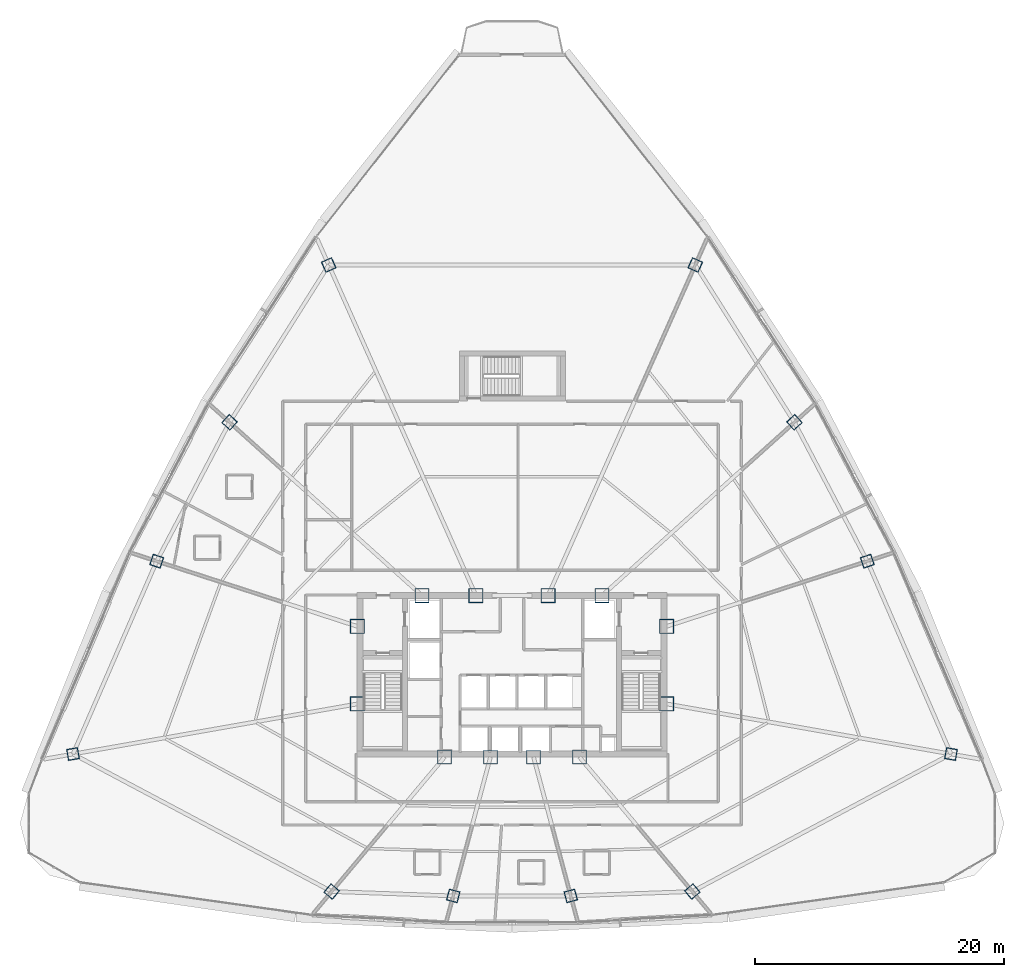
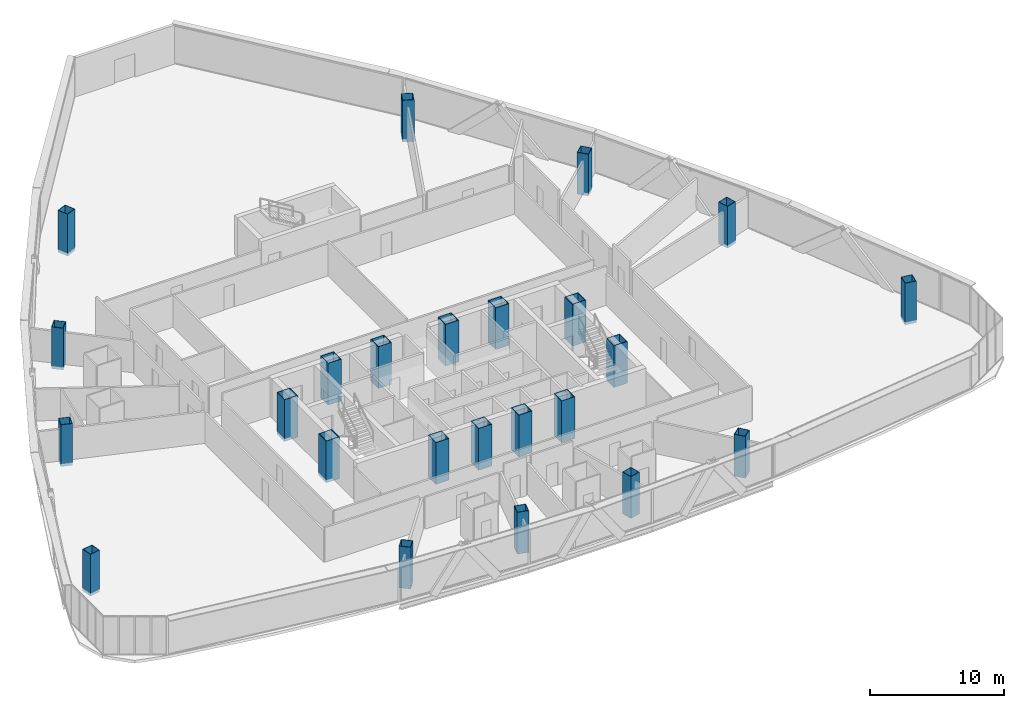
# One storey, part 1 of 40: 24 columns.
"""IFC4 building model written with IfcOpenShell, lengths in metres."""

import ifcopenshell
import ifcopenshell.guid

model = None  # the IFC model being written
_history = None  # IfcOwnerHistory: only IFC2X3 demands one
_inside = {}  # id of a spatial element -> (the spatial element, [elements in it])
_under = {}  # id of a project, library or spatial element -> (it, [spatial elements below it])
_declared = {}  # id of a project -> (the project, [libraries it declares])
_typed = {}  # id of a type object -> (the type object, [elements of that type])
_made_of = {}  # id of a material, layer set ... -> (it, [elements and type objects made of it])


def new_model(schema):
    """Start an empty IFC model of exactly this schema.

    Asked for "IFC4X3", IfcOpenShell would pick the latest addendum, in which some entities
    have other attributes; the version numbers below select the first issue.
    IFC2X3 requires an IfcOwnerHistory on every rooted entity: one is made here for all.
    """
    global model, _history
    if schema == "IFC4X3":
        model = ifcopenshell.file(schema_version=(4, 3, 0, 0))
    else:
        model = ifcopenshell.file(schema=schema)
    _inside.clear()
    _under.clear()
    _declared.clear()
    _typed.clear()
    _made_of.clear()
    _history = None
    if model.schema == "IFC2X3":
        org = make("IfcOrganization", Name="unknown")
        user = make(
            "IfcPersonAndOrganization",
            ThePerson=make("IfcPerson", FamilyName="unknown"),
            TheOrganization=org,
        )
        app = make(
            "IfcApplication",
            ApplicationDeveloper=org,
            Version="unknown",
            ApplicationFullName="unknown",
            ApplicationIdentifier="unknown",
        )
        _history = make(
            "IfcOwnerHistory",
            OwningUser=user,
            OwningApplication=app,
            ChangeAction="ADDED",
            CreationDate=0,
        )
    return model


def make(cls, **values):
    """One entity of the class cls with the attributes given. An attribute that is None is left unset."""
    return model.create_entity(
        cls, **{name: value for name, value in values.items() if value is not None}
    )


def rooted(cls, **values):
    """An entity with a GlobalId (a new one), such as an element, a storey or a relation."""
    return make(cls, GlobalId=ifcopenshell.guid.new(), OwnerHistory=_history, **values)


def si_unit(unit_type, name, prefix=None):
    """IfcSIUnit, for example si_unit("LENGTHUNIT", "METRE", prefix="MILLI")."""
    return make("IfcSIUnit", UnitType=unit_type, Prefix=prefix, Name=name)


def assignment(units):
    """IfcUnitAssignment: the units of a project."""
    return None if units is None else make("IfcUnitAssignment", Units=units)


def point(xyz):
    """IfcCartesianPoint."""
    return None if xyz is None else make("IfcCartesianPoint", Coordinates=xyz)


def direction(xyz):
    """IfcDirection."""
    return None if xyz is None else make("IfcDirection", DirectionRatios=xyz)


def frame(location, z_axis=None, x_axis=None):
    """IfcAxis2Placement3D, a coordinate frame: its origin and axes. An axis left out is left unset."""
    return make(
        "IfcAxis2Placement3D",
        Location=point(location),
        Axis=direction(z_axis),
        RefDirection=direction(x_axis),
    )


def frame_2d(location, x_axis=None):
    """IfcAxis2Placement2D, a coordinate frame in the plane: its origin and x axis."""
    return make(
        "IfcAxis2Placement2D", Location=point(location), RefDirection=direction(x_axis)
    )


def origin():
    """The frame at (0, 0, 0) with its axes left unset."""
    return frame((0.0, 0.0, 0.0))


def origin_2d():
    """The frame at (0, 0) in the plane with its x axis left unset."""
    return frame_2d((0.0, 0.0))


def place(relative_to, where):
    """IfcLocalPlacement: puts the frame where relative to a parent placement (None: the world)."""
    return make(
        "IfcLocalPlacement", PlacementRelTo=relative_to, RelativePlacement=where
    )


def context(
    kind, dimensions, precision=None, world=None, true_north=None, identifier=None
):
    """IfcGeometricRepresentationContext, for example the 3D "Model" context."""
    return make(
        "IfcGeometricRepresentationContext",
        ContextIdentifier=identifier,
        ContextType=kind,
        CoordinateSpaceDimension=dimensions,
        Precision=precision,
        WorldCoordinateSystem=world,
        TrueNorth=true_north,
    )


def subcontext(parent, identifier, kind, view, scale=None):
    """IfcGeometricRepresentationSubContext, for example "Body" below "Model"."""
    return make(
        "IfcGeometricRepresentationSubContext",
        ContextIdentifier=identifier,
        ContextType=kind,
        ParentContext=parent,
        TargetScale=scale,
        TargetView=view,
    )


def project(units=None, contexts=None):
    """IfcProject with its units and contexts."""
    return rooted(
        "IfcProject",
        Name="project",
        RepresentationContexts=contexts,
        UnitsInContext=assignment(units),
    )


def spatial(cls, under=None, at=None, **own):
    """A site, building, storey or space (cls), placed at a placement, below another one or the project."""
    s = rooted(cls, ObjectPlacement=at, **own)
    if under is not None:
        _under.setdefault(under.id(), (under, []))[1].append(s)
    return s


def profile(cls, at=None, kind="AREA", **sizes):
    """A parametric profile (cls). Its sizes go by their IFC names, for example OverallWidth=200.0."""
    return make(cls, ProfileType=kind, Position=at, **sizes)


def hollow_rectangle(**sizes):
    """IfcRectangleHollowProfileDef."""
    return profile("IfcRectangleHollowProfileDef", **sizes)


def extrude(swept, where, along, depth):
    """IfcExtrudedAreaSolid: the profile swept, set in the frame where, extruded along a direction by depth."""
    return make(
        "IfcExtrudedAreaSolid",
        SweptArea=swept,
        Position=where,
        ExtrudedDirection=direction(along),
        Depth=depth,
    )


def shape(context_of_items, identifier, shape_type, items):
    """IfcShapeRepresentation: the items that make up one representation, for example the "Body"."""
    return make(
        "IfcShapeRepresentation",
        ContextOfItems=context_of_items,
        RepresentationIdentifier=identifier,
        RepresentationType=shape_type,
        Items=items,
    )


def source(mapping_origin, context_of_items, identifier, shape_type, items):
    """IfcRepresentationMap: a shape defined once, which mapped items show again and again."""
    return make(
        "IfcRepresentationMap",
        MappingOrigin=mapping_origin,
        MappedRepresentation=shape(context_of_items, identifier, shape_type, items),
    )


def transform(
    local_origin,
    x_axis=None,
    y_axis=None,
    z_axis=None,
    scale=None,
    scale2=None,
    scale3=None,
    uniform=True,
):
    """IfcCartesianTransformationOperator3D, or its non-uniform kind. x_axis, y_axis, z_axis: its Axis1, 2, 3."""
    if uniform:
        return make(
            "IfcCartesianTransformationOperator3D",
            Axis1=direction(x_axis),
            Axis2=direction(y_axis),
            LocalOrigin=point(local_origin),
            Scale=scale,
            Axis3=direction(z_axis),
        )
    return make(
        "IfcCartesianTransformationOperator3DnonUniform",
        Axis1=direction(x_axis),
        Axis2=direction(y_axis),
        LocalOrigin=point(local_origin),
        Scale=scale,
        Axis3=direction(z_axis),
        Scale2=scale2,
        Scale3=scale3,
    )


def mapped(mapping_source, mapping_target):
    """IfcMappedItem: shows the shape of a source again, moved by a transform."""
    return make(
        "IfcMappedItem", MappingSource=mapping_source, MappingTarget=mapping_target
    )


def material(Name=None, Category=None):
    """IfcMaterial."""
    return make("IfcMaterial", Name=Name, Category=Category)


def material_profile(
    of_material, cross_section, Name=None, Category=None, Priority=None
):
    """IfcMaterialProfile: a cross section and its material."""
    return make(
        "IfcMaterialProfile",
        Name=Name,
        Material=of_material,
        Profile=cross_section,
        Priority=Priority,
        Category=Category,
    )


def profile_set(profiles, Name=None, composite=None):
    """IfcMaterialProfileSet."""
    return make(
        "IfcMaterialProfileSet",
        Name=Name,
        MaterialProfiles=profiles,
        CompositeProfile=composite,
    )


def made_of(thing, what):
    """Note that an element or type object is made of a material, layer set ...; save() writes the relation."""
    if what is not None:
        _made_of.setdefault(what.id(), (what, []))[1].append(thing)
    return thing


def type_object(cls, material=None, **own):
    """A type object (cls), such as IfcWallType, which elements share."""
    return made_of(rooted(cls, **own), material)


def element(
    cls,
    number,
    at=None,
    inside=None,
    cuts=None,
    type_object=None,
    material=None,
    context=None,
    identifier="Body",
    shape_type=None,
    held_by="IfcProductDefinitionShape",
    body=None,
    shapes=None,
    **own,
):
    """One element of the class cls, such as IfcWall. Its Tag is "e" and its number.

    at: its placement. inside: the storey or other place that contains it. cuts: it is an
    opening in that element (IfcRelVoidsElement). A single representation is given by context,
    identifier, shape_type and body (its items); several are given by shapes. held_by: the class
    of the entity that holds the representations. save() writes the other relations.
    """
    e = rooted(cls, Tag="e%d" % number, ObjectPlacement=at, **own)
    if body is not None:
        shapes = [shape(context, identifier, shape_type, body)]
    if shapes is not None:
        e.Representation = make(held_by, Representations=shapes)
    if inside is not None:
        _inside.setdefault(inside.id(), (inside, []))[1].append(e)
    if cuts is not None:
        rooted(
            "IfcRelVoidsElement", RelatingBuildingElement=cuts, RelatedOpeningElement=e
        )
    if type_object is not None:
        _typed.setdefault(type_object.id(), (type_object, []))[1].append(e)
    return made_of(e, material)


def aggregate(whole, parts):
    """IfcRelAggregates: a whole, such as a stair, and the parts it consists of."""
    return rooted("IfcRelAggregates", RelatingObject=whole, RelatedObjects=parts)


def save(model, path):
    """Write the relations noted so far, then the file.

    IfcRelAggregates (storeys below a building ...), IfcRelContainedInSpatialStructure (elements
    in a storey), IfcRelDefinesByType, IfcRelAssociatesMaterial and IfcRelDeclares: one each for
    every whole, place, type object, material and project.
    """
    for whole, parts in _under.values():
        aggregate(whole, parts)
    for where, things in _inside.values():
        rooted(
            "IfcRelContainedInSpatialStructure",
            RelatedElements=things,
            RelatingStructure=where,
        )
    for kind, things in _typed.values():
        rooted("IfcRelDefinesByType", RelatedObjects=things, RelatingType=kind)
    for what, things in _made_of.values():
        rooted("IfcRelAssociatesMaterial", RelatedObjects=things, RelatingMaterial=what)
    for by, libraries in _declared.values():
        rooted("IfcRelDeclares", RelatingContext=by, RelatedDefinitions=libraries)
    model.write(path)


model = new_model("IFC4")

# Units and contexts
model_context = context("Model", 3, precision=1e-05, world=origin(), true_north=direction((0.0, 1.0)))
body_context = subcontext(model_context, "Body", "Model", "MODEL_VIEW")
ifc_project = project(units=[si_unit("LENGTHUNIT", "METRE"), si_unit("AREAUNIT", "SQUARE_METRE"), si_unit("VOLUMEUNIT", "CUBIC_METRE"), si_unit("PLANEANGLEUNIT", "RADIAN"), si_unit("MASSUNIT", "GRAM", prefix="KILO"), si_unit("THERMODYNAMICTEMPERATUREUNIT", "KELVIN"), si_unit("POWERUNIT", "WATT")], contexts=[model_context])

# Site, building, storey
site_placement = place(None, origin())
site = spatial("IfcSite", under=ifc_project, at=site_placement, CompositionType="ELEMENT")
building_placement = place(site_placement, origin())
building = spatial("IfcBuilding", under=site, at=building_placement, Name="Yunzhuo Pagoda Commons", CompositionType="ELEMENT")
storey_placement = place(building_placement, frame((0.0, 0.0, 180.9599609375)))
storey = spatial("IfcBuildingStorey", under=building, at=storey_placement, Name="L45", CompositionType="ELEMENT", Elevation=180.9599609375)

# Columns
ifc_material = material(Name="Structural steel Q420B", Category="steel")
ifc_material_profile_1 = material_profile(ifc_material, hollow_rectangle(XDim=1.14990234375, YDim=1.14990234375, WallThickness=0.048095703125, at=origin_2d()), Name="Structural steel Q420B")
ifc_profile_set_1 = profile_set([ifc_material_profile_1], Name="Structural steel Q420B")
column_type_1 = type_object("IfcColumnType", Name="C-COR Column BOX 1150x1150x48", PredefinedType="COLUMN", material=ifc_profile_set_1)
shared_shape_1 = source(origin(), body_context, "Body", "SweptSolid", [
    extrude(hollow_rectangle(XDim=1.14990234375, YDim=1.14990234375, WallThickness=0.048095703125, at=origin_2d()), origin(), (0.0, 0.0, 1.0), 3.800048828125),
])
for number, where, z_axis, x_axis, name in (
    (1, (42.587890625, 27.25, -0.260009765625), (0.0, 0.0, 1.0), (1.0, 0.0, 0.0), "L45 core composite column F1C1"),
    (2, (46.27197265625, 27.25, -0.260009765625), (0.0, 0.0, 1.0), (1.0, 0.0, 0.0), "L45 core composite column F1C2"),
    (3, (49.728515625, 27.25, -0.260009765625), (0.0, 0.0, 1.0), (1.0, 0.0, 0.0), "L45 core composite column F1C3"),
    (4, (53.412109375, 27.25, -0.260009765625), (0.0, 0.0, 1.0), (1.0, 0.0, 0.0), "L45 core composite column F1C4"),
    (5, (60.39990234375, 31.513427734375, -0.260009765625), (0.0, 0.0, 1.0), (1.0, 0.0, 0.0), "L45 core composite column F2C1"),
    (6, (60.39990234375, 37.72900390625, -0.260009765625), (0.0, 0.0, 1.0), (1.0, 0.0, 0.0), "L45 core composite column F2C2"),
    (7, (55.218994140625, 40.199951171875, -0.260009765625), (0.0, 0.0, 1.0), (1.0, 0.0, 0.0), "L45 core composite column F2C3"),
    (8, (50.89404296875, 40.199951171875, -0.260009765625), (0.0, 0.0, 1.0), (1.0, 0.0, 0.0), "L45 core composite column F2C4"),
    (9, (45.10595703125, 40.199951171875, -0.260009765625), (0.0, 0.0, 1.0), (1.0, 0.0, 0.0), "L45 core composite column F3C1"),
    (10, (40.781005859375, 40.199951171875, -0.260009765625), (0.0, 0.0, 1.0), (1.0, 0.0, 0.0), "L45 core composite column F3C2"),
    (11, (35.60009765625, 37.72900390625, -0.260009765625), (0.0, 0.0, 1.0), (1.0, 0.0, 0.0), "L45 core composite column F3C3"),
    (12, (35.60009765625, 31.513427734375, -0.260009765625), (0.0, 0.0, 1.0), (1.0, 0.0, 0.0), "L45 core composite column F3C4"),
):
    element("IfcColumn", number, at=place(storey_placement, frame(where, z_axis=z_axis, x_axis=x_axis)), inside=storey, type_object=column_type_1, Name=name, PredefinedType="COLUMN", context=body_context, shape_type="MappedRepresentation", body=[
        mapped(shared_shape_1, transform((0.0, 0.0, 0.0), scale=1.0)),
    ])
ifc_material_profile_2 = material_profile(ifc_material, hollow_rectangle(XDim=0.89990234375, YDim=0.89990234375, WallThickness=0.035888671875, at=origin_2d()), Name="Structural steel Q420B")
ifc_profile_set_2 = profile_set([ifc_material_profile_2], Name="Structural steel Q420B")
column_type_2 = type_object("IfcColumnType", Name="C-Z4 Column BOX 900x900x36", PredefinedType="COLUMN", material=ifc_profile_set_2)
shared_shape_2 = source(origin(), body_context, "Body", "SweptSolid", [
    extrude(hollow_rectangle(XDim=0.89990234375, YDim=0.89990234375, WallThickness=0.035888671875, at=origin_2d()), origin(), (0.0, 0.0, 1.0), 3.800048828125),
])
for number, where, z_axis, x_axis, name in (
    (13, (33.538818359375, 16.4658203125, -0.260009765625), (0.0, 0.0, 1.0), (0.766044443119, -0.642787609687, 0.0), "L45 tower column F1C1"),
    (14, (43.28759765625, 16.1123046875, -0.260009765625), (0.0, 0.0, 1.0), (0.965925826289, -0.258819045103, 0.0), "L45 tower column F1C2"),
    (15, (52.712890625, 16.1123046875, -0.260009765625), (0.0, 0.0, 1.0), (0.965925826289, 0.258819045103, 0.0), "L45 tower column F1C3"),
    (16, (62.461181640625, 16.4658203125, -0.260009765625), (0.0, 0.0, 1.0), (0.766044443119, 0.642787609687, 0.0), "L45 tower column F1C4"),
    (17, (83.20654296875, 27.492431640625, -0.260009765625), (0.0, 0.0, 1.0), (0.173648177667, 0.984807753012, 0.0), "L45 tower column F2C1"),
    (18, (76.49462890625, 42.95849609375, -0.260009765625), (0.0, 0.0, 1.0), (-0.309016994375, 0.951056516295, 0.0), "L45 tower column F2C2"),
    (19, (70.650634765625, 54.0947265625, -0.260009765625), (0.0, 0.0, 1.0), (-0.669130606359, 0.743144825477, 0.0), "L45 tower column F2C3"),
    (20, (62.698974609375, 66.714599609375, -0.260009765625), (0.0, 0.0, 1.0), (-0.913545457643, 0.406736643076, 0.0), "L45 tower column F2C4"),
    (21, (33.301025390625, 66.714599609375, -0.260009765625), (0.0, 0.0, 1.0), (-0.913545457643, -0.406736643076, 0.0), "L45 tower column F3C1"),
    (22, (25.349365234375, 54.0947265625, -0.260009765625), (0.0, 0.0, 1.0), (-0.669130606359, -0.743144825477, 0.0), "L45 tower column F3C2"),
    (23, (19.50537109375, 42.95849609375, -0.260009765625), (0.0, 0.0, 1.0), (-0.309016994375, -0.951056516295, 0.0), "L45 tower column F3C3"),
    (24, (12.79345703125, 27.492431640625, -0.260009765625), (0.0, 0.0, 1.0), (0.173648177667, -0.984807753012, 0.0), "L45 tower column F3C4"),
):
    element("IfcColumn", number, at=place(storey_placement, frame(where, z_axis=z_axis, x_axis=x_axis)), inside=storey, type_object=column_type_2, Name=name, PredefinedType="COLUMN", context=body_context, shape_type="MappedRepresentation", body=[
        mapped(shared_shape_2, transform((0.0, 0.0, 0.0), scale=1.0)),
    ])

save(model, "model.ifc")
